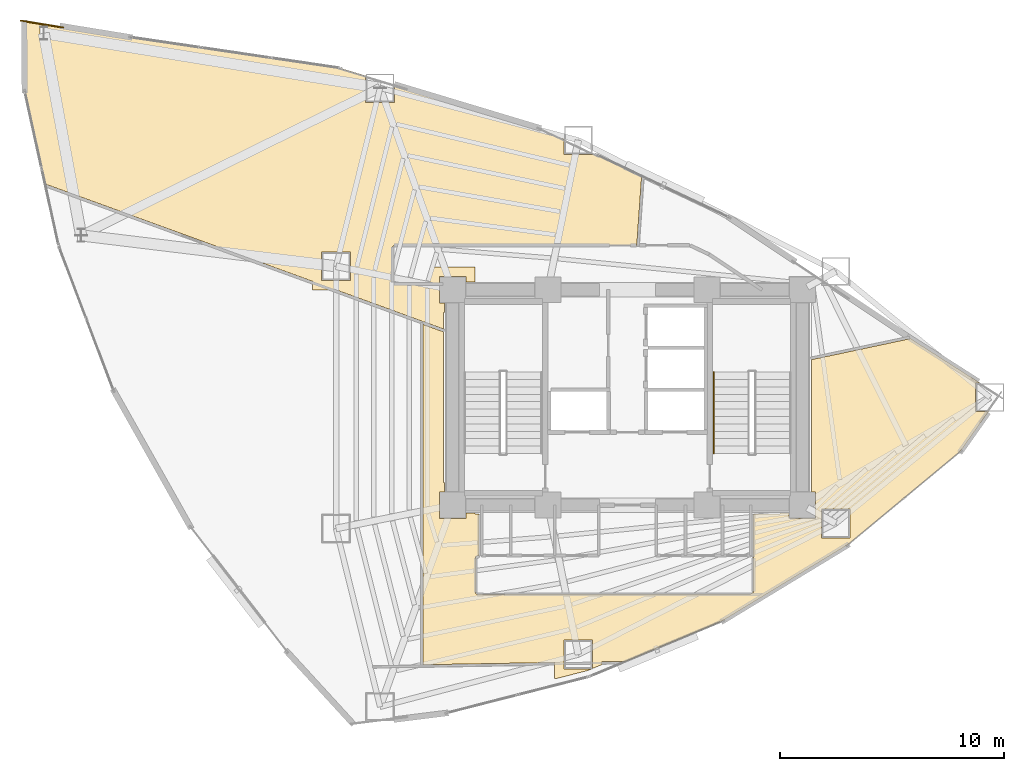
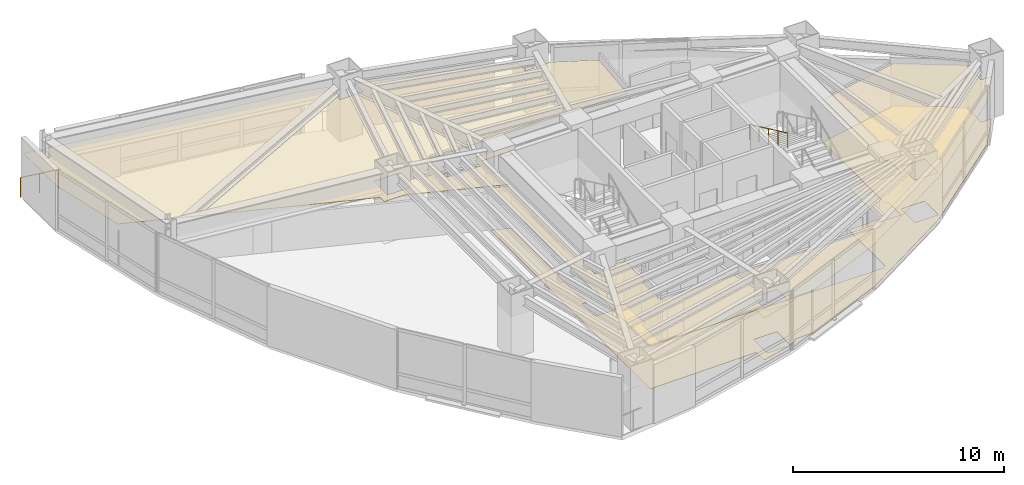
# One storey, part 23 of 25: 3 coverings, 2 railings.
"""IFC4 building model written with IfcOpenShell, lengths in metres."""

import ifcopenshell
import ifcopenshell.guid

model = None  # the IFC model being written
_history = None  # IfcOwnerHistory: only IFC2X3 demands one
_inside = {}  # id of a spatial element -> (the spatial element, [elements in it])
_under = {}  # id of a project, library or spatial element -> (it, [spatial elements below it])
_declared = {}  # id of a project -> (the project, [libraries it declares])
_typed = {}  # id of a type object -> (the type object, [elements of that type])
_made_of = {}  # id of a material, layer set ... -> (it, [elements and type objects made of it])


def new_model(schema):
    """Start an empty IFC model of exactly this schema.

    Asked for "IFC4X3", IfcOpenShell would pick the latest addendum, in which some entities
    have other attributes; the version numbers below select the first issue.
    IFC2X3 requires an IfcOwnerHistory on every rooted entity: one is made here for all.
    """
    global model, _history
    if schema == "IFC4X3":
        model = ifcopenshell.file(schema_version=(4, 3, 0, 0))
    else:
        model = ifcopenshell.file(schema=schema)
    _inside.clear()
    _under.clear()
    _declared.clear()
    _typed.clear()
    _made_of.clear()
    _history = None
    if model.schema == "IFC2X3":
        org = make("IfcOrganization", Name="unknown")
        user = make(
            "IfcPersonAndOrganization",
            ThePerson=make("IfcPerson", FamilyName="unknown"),
            TheOrganization=org,
        )
        app = make(
            "IfcApplication",
            ApplicationDeveloper=org,
            Version="unknown",
            ApplicationFullName="unknown",
            ApplicationIdentifier="unknown",
        )
        _history = make(
            "IfcOwnerHistory",
            OwningUser=user,
            OwningApplication=app,
            ChangeAction="ADDED",
            CreationDate=0,
        )
    return model


def make(cls, **values):
    """One entity of the class cls with the attributes given. An attribute that is None is left unset."""
    return model.create_entity(
        cls, **{name: value for name, value in values.items() if value is not None}
    )


def rooted(cls, **values):
    """An entity with a GlobalId (a new one), such as an element, a storey or a relation."""
    return make(cls, GlobalId=ifcopenshell.guid.new(), OwnerHistory=_history, **values)


def si_unit(unit_type, name, prefix=None):
    """IfcSIUnit, for example si_unit("LENGTHUNIT", "METRE", prefix="MILLI")."""
    return make("IfcSIUnit", UnitType=unit_type, Prefix=prefix, Name=name)


def assignment(units):
    """IfcUnitAssignment: the units of a project."""
    return None if units is None else make("IfcUnitAssignment", Units=units)


def point(xyz):
    """IfcCartesianPoint."""
    return None if xyz is None else make("IfcCartesianPoint", Coordinates=xyz)


def direction(xyz):
    """IfcDirection."""
    return None if xyz is None else make("IfcDirection", DirectionRatios=xyz)


def frame(location, z_axis=None, x_axis=None):
    """IfcAxis2Placement3D, a coordinate frame: its origin and axes. An axis left out is left unset."""
    return make(
        "IfcAxis2Placement3D",
        Location=point(location),
        Axis=direction(z_axis),
        RefDirection=direction(x_axis),
    )


def frame_2d(location, x_axis=None):
    """IfcAxis2Placement2D, a coordinate frame in the plane: its origin and x axis."""
    return make(
        "IfcAxis2Placement2D", Location=point(location), RefDirection=direction(x_axis)
    )


def origin():
    """The frame at (0, 0, 0) with its axes left unset."""
    return frame((0.0, 0.0, 0.0))


def origin_2d():
    """The frame at (0, 0) in the plane with its x axis left unset."""
    return frame_2d((0.0, 0.0))


def place(relative_to, where):
    """IfcLocalPlacement: puts the frame where relative to a parent placement (None: the world)."""
    return make(
        "IfcLocalPlacement", PlacementRelTo=relative_to, RelativePlacement=where
    )


def context(
    kind, dimensions, precision=None, world=None, true_north=None, identifier=None
):
    """IfcGeometricRepresentationContext, for example the 3D "Model" context."""
    return make(
        "IfcGeometricRepresentationContext",
        ContextIdentifier=identifier,
        ContextType=kind,
        CoordinateSpaceDimension=dimensions,
        Precision=precision,
        WorldCoordinateSystem=world,
        TrueNorth=true_north,
    )


def subcontext(parent, identifier, kind, view, scale=None):
    """IfcGeometricRepresentationSubContext, for example "Body" below "Model"."""
    return make(
        "IfcGeometricRepresentationSubContext",
        ContextIdentifier=identifier,
        ContextType=kind,
        ParentContext=parent,
        TargetScale=scale,
        TargetView=view,
    )


def project(units=None, contexts=None):
    """IfcProject with its units and contexts."""
    return rooted(
        "IfcProject",
        Name="project",
        RepresentationContexts=contexts,
        UnitsInContext=assignment(units),
    )


def spatial(cls, under=None, at=None, **own):
    """A site, building, storey or space (cls), placed at a placement, below another one or the project."""
    s = rooted(cls, ObjectPlacement=at, **own)
    if under is not None:
        _under.setdefault(under.id(), (under, []))[1].append(s)
    return s


def polyline(points):
    """IfcPolyline through the points."""
    return make("IfcPolyline", Points=[point(p) for p in points])


def profile(cls, at=None, kind="AREA", **sizes):
    """A parametric profile (cls). Its sizes go by their IFC names, for example OverallWidth=200.0."""
    return make(cls, ProfileType=kind, Position=at, **sizes)


def circle(**sizes):
    """IfcCircleProfileDef."""
    return profile("IfcCircleProfileDef", **sizes)


def outline(outer, holes=None, kind="AREA"):
    """IfcArbitraryClosedProfileDef: a profile drawn as a closed curve; with holes, ...WithVoids."""
    if holes is None:
        return make("IfcArbitraryClosedProfileDef", ProfileType=kind, OuterCurve=outer)
    return make(
        "IfcArbitraryProfileDefWithVoids",
        ProfileType=kind,
        OuterCurve=outer,
        InnerCurves=holes,
    )


def extrude(swept, where, along, depth):
    """IfcExtrudedAreaSolid: the profile swept, set in the frame where, extruded along a direction by depth."""
    return make(
        "IfcExtrudedAreaSolid",
        SweptArea=swept,
        Position=where,
        ExtrudedDirection=direction(along),
        Depth=depth,
    )


def shape(context_of_items, identifier, shape_type, items):
    """IfcShapeRepresentation: the items that make up one representation, for example the "Body"."""
    return make(
        "IfcShapeRepresentation",
        ContextOfItems=context_of_items,
        RepresentationIdentifier=identifier,
        RepresentationType=shape_type,
        Items=items,
    )


def material(Name=None, Category=None):
    """IfcMaterial."""
    return make("IfcMaterial", Name=Name, Category=Category)


def layer(
    of_material, thickness, ventilated=None, Name=None, Category=None, Priority=None
):
    """IfcMaterialLayer: one layer of a wall or slab, of a material (None: an air gap)."""
    return make(
        "IfcMaterialLayer",
        Material=of_material,
        LayerThickness=thickness,
        IsVentilated=ventilated,
        Name=Name,
        Category=Category,
        Priority=Priority,
    )


def layer_set(layers, Name=None):
    """IfcMaterialLayerSet."""
    return make("IfcMaterialLayerSet", MaterialLayers=layers, LayerSetName=Name)


def made_of(thing, what):
    """Note that an element or type object is made of a material, layer set ...; save() writes the relation."""
    if what is not None:
        _made_of.setdefault(what.id(), (what, []))[1].append(thing)
    return thing


def type_object(cls, material=None, **own):
    """A type object (cls), such as IfcWallType, which elements share."""
    return made_of(rooted(cls, **own), material)


def element(
    cls,
    number,
    at=None,
    inside=None,
    cuts=None,
    type_object=None,
    material=None,
    context=None,
    identifier="Body",
    shape_type=None,
    held_by="IfcProductDefinitionShape",
    body=None,
    shapes=None,
    **own,
):
    """One element of the class cls, such as IfcWall. Its Tag is "e" and its number.

    at: its placement. inside: the storey or other place that contains it. cuts: it is an
    opening in that element (IfcRelVoidsElement). A single representation is given by context,
    identifier, shape_type and body (its items); several are given by shapes. held_by: the class
    of the entity that holds the representations. save() writes the other relations.
    """
    e = rooted(cls, Tag="e%d" % number, ObjectPlacement=at, **own)
    if body is not None:
        shapes = [shape(context, identifier, shape_type, body)]
    if shapes is not None:
        e.Representation = make(held_by, Representations=shapes)
    if inside is not None:
        _inside.setdefault(inside.id(), (inside, []))[1].append(e)
    if cuts is not None:
        rooted(
            "IfcRelVoidsElement", RelatingBuildingElement=cuts, RelatedOpeningElement=e
        )
    if type_object is not None:
        _typed.setdefault(type_object.id(), (type_object, []))[1].append(e)
    return made_of(e, material)


def aggregate(whole, parts):
    """IfcRelAggregates: a whole, such as a stair, and the parts it consists of."""
    return rooted("IfcRelAggregates", RelatingObject=whole, RelatedObjects=parts)


def save(model, path):
    """Write the relations noted so far, then the file.

    IfcRelAggregates (storeys below a building ...), IfcRelContainedInSpatialStructure (elements
    in a storey), IfcRelDefinesByType, IfcRelAssociatesMaterial and IfcRelDeclares: one each for
    every whole, place, type object, material and project.
    """
    for whole, parts in _under.values():
        aggregate(whole, parts)
    for where, things in _inside.values():
        rooted(
            "IfcRelContainedInSpatialStructure",
            RelatedElements=things,
            RelatingStructure=where,
        )
    for kind, things in _typed.values():
        rooted("IfcRelDefinesByType", RelatedObjects=things, RelatingType=kind)
    for what, things in _made_of.values():
        rooted("IfcRelAssociatesMaterial", RelatedObjects=things, RelatingMaterial=what)
    for by, libraries in _declared.values():
        rooted("IfcRelDeclares", RelatingContext=by, RelatedDefinitions=libraries)
    model.write(path)


model = new_model("IFC4")

# Units and contexts
model_context = context("Model", 3, precision=1e-05, world=origin(), true_north=direction((0.0, 1.0)))
body_context = subcontext(model_context, "Body", "Model", "MODEL_VIEW")
ifc_project = project(units=[si_unit("LENGTHUNIT", "METRE"), si_unit("AREAUNIT", "SQUARE_METRE"), si_unit("VOLUMEUNIT", "CUBIC_METRE"), si_unit("PLANEANGLEUNIT", "RADIAN"), si_unit("MASSUNIT", "GRAM", prefix="KILO")], contexts=[model_context])

# Site, building, storey
site_placement = place(None, origin())
site = spatial("IfcSite", under=ifc_project, at=site_placement, CompositionType="ELEMENT")
building_placement = place(site_placement, origin())
building = spatial("IfcBuilding", under=site, at=building_placement, Name="Menara Vayukalpa", CompositionType="ELEMENT")
storey_placement = place(building_placement, frame((0.0, 0.0, 115.139892578125)))
storey = spatial("IfcBuildingStorey", under=building, at=storey_placement, Name="L28", CompositionType="ELEMENT", Elevation=115.139892578125)

# Coverings
ifc_material_1 = material(Name="Mineral Fibre Acoustic Ceiling Tile", Category="masonry")
ifc_layer_1 = layer(ifc_material_1, 0.02490234375)
ifc_layer_set_1 = layer_set([ifc_layer_1], Name="Mineral Fibre Acoustic Ceiling Tile")
covering_type_1 = type_object("IfcCoveringType", Name="COV-CLG1", PredefinedType="CEILING", material=ifc_layer_set_1)
covering_1_placement = place(storey_placement, frame((0.0, 0.0, 2.4501953125)))
element("IfcCovering", 1, at=covering_1_placement, inside=storey, type_object=covering_type_1, Name="L28 Client Conference Room Acoustic Ceiling", PredefinedType="CEILING", context=body_context, shape_type="SweptSolid", body=[
    extrude(outline(polyline([(24.048095703125, 9.914794921875), (24.048095703125, 11.172607421875), (22.768310546875, 11.172607421875), (22.768310546875, 9.892578125), (23.9951171875, 9.892578125), (23.818359375, 9.818603515625), (22.46142578125, 9.47265625), (22.34814453125, 9.47265625), (22.34814453125, 10.181640625), (16.49365234375, 10.079345703125), (16.49267578125, 10.079345703125), (16.49169921875, 10.07958984375), (16.49072265625, 10.079833984375), (16.48974609375, 10.080078125), (16.489013671875, 10.08056640625), (16.488037109375, 10.0810546875), (16.4873046875, 10.08154296875), (16.486572265625, 10.082275390625), (16.48583984375, 10.0830078125), (16.485107421875, 10.083740234375), (16.484619140625, 10.084716796875), (16.484375, 10.08544921875), (16.48388671875, 10.08642578125), (16.483642578125, 10.08740234375), (16.4833984375, 10.08837890625), (16.4833984375, 10.08935546875), (16.4833984375, 25.239990234375), (16.4833984375, 25.240966796875), (16.483642578125, 25.241943359375), (16.48388671875, 25.242919921875), (16.484130859375, 25.24365234375), (16.484619140625, 25.24462890625), (16.485107421875, 25.245361328125), (16.485595703125, 25.24609375), (16.486328125, 25.246826171875), (16.487060546875, 25.24755859375), (16.48779296875, 25.248291015625), (16.488525390625, 25.248779296875), (16.489501953125, 25.2490234375), (16.490234375, 25.24951171875), (16.4912109375, 25.249755859375), (16.4921875, 25.25), (16.4931640625, 25.25), (16.494140625, 25.25), (16.4951171875, 25.25), (16.49609375, 25.249755859375), (16.496826171875, 25.24951171875), (17.38330078125, 24.9267578125), (17.384521484375, 24.92626953125), (17.38525390625, 24.92578125), (17.385986328125, 24.92529296875), (17.386962890625, 24.924560546875), (17.3876953125, 24.923828125), (17.38818359375, 24.923095703125), (17.388671875, 24.922119140625), (17.38916015625, 24.92138671875), (17.389404296875, 24.92041015625), (17.389892578125, 24.919189453125), (17.389892578125, 24.918212890625), (17.389892578125, 24.917236328125), (17.389892578125, 18.2099609375), (17.449951171875, 18.2099609375), (17.449951171875, 17.7900390625), (17.2099609375, 17.7900390625), (17.2099609375, 16.610107421875), (18.389892578125, 16.610107421875), (18.389892578125, 16.85009765625), (18.81005859375, 16.85009765625), (18.81005859375, 16.7900390625), (18.97998046875, 16.7900390625), (18.98095703125, 16.7900390625), (18.98193359375, 16.789794921875), (18.98291015625, 16.78955078125), (18.98388671875, 16.789306640625), (18.984619140625, 16.788818359375), (18.985595703125, 16.788330078125), (18.986328125, 16.78759765625), (18.987060546875, 16.787109375), (18.98779296875, 16.786376953125), (18.98828125, 16.78564453125), (18.98876953125, 16.78466796875), (18.9892578125, 16.78369140625), (18.989501953125, 16.782958984375), (18.98974609375, 16.781982421875), (18.989990234375, 16.781005859375), (18.989990234375, 16.780029296875), (18.989990234375, 14.929931640625), (18.989990234375, 14.928955078125), (18.98974609375, 14.927978515625), (18.989501953125, 14.927001953125), (18.9892578125, 14.92626953125), (18.98876953125, 14.92529296875), (18.98828125, 14.92431640625), (18.98779296875, 14.923583984375), (18.987060546875, 14.9228515625), (18.986328125, 14.92236328125), (18.985595703125, 14.921630859375), (18.984619140625, 14.921142578125), (18.98388671875, 14.9208984375), (18.98291015625, 14.92041015625), (18.98193359375, 14.920166015625), (18.98095703125, 14.919921875), (18.97998046875, 14.919921875), (18.900390625, 14.919921875), (18.893310546875, 14.919677734375), (18.88623046875, 14.918701171875), (18.879638671875, 14.9169921875), (18.873291015625, 14.914794921875), (18.866943359375, 14.911865234375), (18.861083984375, 14.908203125), (18.85546875, 14.904052734375), (18.8505859375, 14.8994140625), (18.845947265625, 14.89453125), (18.841796875, 14.888916015625), (18.838134765625, 14.883056640625), (18.835205078125, 14.876708984375), (18.8330078125, 14.870361328125), (18.831298828125, 14.86376953125), (18.830322265625, 14.856689453125), (18.830078125, 14.849609375), (18.830078125, 13.290283203125), (18.830322265625, 13.283203125), (18.831298828125, 13.2763671875), (18.8330078125, 13.269775390625), (18.835205078125, 13.26318359375), (18.838134765625, 13.257080078125), (18.841796875, 13.251220703125), (18.845947265625, 13.24560546875), (18.8505859375, 13.240478515625), (18.85546875, 13.236083984375), (18.861083984375, 13.231689453125), (18.866943359375, 13.228271484375), (18.873291015625, 13.225341796875), (18.879638671875, 13.222900390625), (18.88623046875, 13.22119140625), (18.893310546875, 13.220458984375), (18.900390625, 13.219970703125), (31.048828125, 13.219970703125), (31.055419921875, 13.22021484375), (31.0615234375, 13.22119140625), (31.06787109375, 13.22265625), (31.073974609375, 13.224609375), (31.079833984375, 13.22705078125), (31.085693359375, 13.230224609375), (31.186279296875, 13.29150390625), (31.192138671875, 13.295654296875), (31.19775390625, 13.30029296875), (31.202880859375, 13.305419921875), (31.207275390625, 13.31103515625), (31.2109375, 13.317138671875), (31.214111328125, 13.323486328125), (31.216796875, 13.330078125), (31.218505859375, 13.337158203125), (31.219482421875, 13.34423828125), (31.219970703125, 13.3515625), (31.219970703125, 14.849609375), (31.219482421875, 14.856689453125), (31.21875, 14.86376953125), (31.217041015625, 14.870361328125), (31.214599609375, 14.876708984375), (31.2119140625, 14.8828125), (31.211669921875, 14.883056640625), (31.211181640625, 14.8837890625), (31.210693359375, 14.884765625), (31.21044921875, 14.8857421875), (31.210205078125, 14.88671875), (31.2099609375, 14.8876953125), (31.2099609375, 14.888671875), (31.2099609375, 16.780029296875), (31.2099609375, 16.781005859375), (31.210205078125, 16.781982421875), (31.21044921875, 16.782958984375), (31.210693359375, 16.78369140625), (31.211181640625, 16.78466796875), (31.211669921875, 16.78564453125), (31.21240234375, 16.786376953125), (31.212890625, 16.787109375), (31.213623046875, 16.78759765625), (31.21435546875, 16.788330078125), (31.21533203125, 16.788818359375), (31.21630859375, 16.789306640625), (31.217041015625, 16.78955078125), (31.218017578125, 16.789794921875), (31.218994140625, 16.7900390625), (31.219970703125, 16.7900390625), (32.389892578125, 16.7900390625), (32.389892578125, 16.85009765625), (32.81005859375, 16.85009765625), (32.81005859375, 16.610107421875), (33.989990234375, 16.610107421875), (33.989990234375, 17.7900390625), (33.81005859375, 17.7900390625), (33.81005859375, 23.67578125), (33.81005859375, 23.6767578125), (33.810302734375, 23.677490234375), (33.810302734375, 23.6787109375), (33.810791015625, 23.679443359375), (33.811279296875, 23.680419921875), (33.811767578125, 23.68115234375), (33.812255859375, 23.681884765625), (33.81298828125, 23.6826171875), (33.813720703125, 23.683349609375), (33.814453125, 23.68408203125), (33.815185546875, 23.6845703125), (33.816162109375, 23.684814453125), (33.81689453125, 23.685302734375), (33.81787109375, 23.685546875), (38.187255859375, 24.614013671875), (38.193115234375, 24.61572265625), (38.19873046875, 24.617919921875), (38.2041015625, 24.620361328125), (38.206787109375, 24.6220703125), (38.207763671875, 24.62255859375), (38.20849609375, 24.623046875), (38.20947265625, 24.623291015625), (38.210205078125, 24.62353515625), (38.211181640625, 24.623779296875), (38.212158203125, 24.623779296875), (38.213134765625, 24.623779296875), (38.214111328125, 24.62353515625), (38.215087890625, 24.623291015625), (38.2158203125, 24.623046875), (38.216796875, 24.62255859375), (38.217529296875, 24.6220703125), (41.32421875, 22.639892578125), (41.121826171875, 22.639892578125), (41.121826171875, 21.360107421875), (41.6904296875, 21.360107421875), (40.461181640625, 19.6201171875), (40.46044921875, 19.619384765625), (40.4599609375, 19.618896484375), (40.459228515625, 19.618408203125), (35.380859375, 15.40673828125), (35.379638671875, 15.406005859375), (29.862060546875, 12.05419921875), (29.861328125, 12.0537109375), (29.860595703125, 12.053466796875), (25.472900390625, 10.218017578125), (25.47216796875, 10.2177734375), (25.47119140625, 10.217529296875), (25.47021484375, 10.21728515625), (25.46923828125, 10.21728515625), (25.46826171875, 10.21728515625), (25.46728515625, 10.21728515625), (25.466552734375, 10.217529296875), (25.465576171875, 10.218017578125), (25.464599609375, 10.21826171875), (25.4638671875, 10.21875), (25.463134765625, 10.21923828125), (25.46240234375, 10.219970703125), (25.459716796875, 10.222412109375), (25.454833984375, 10.225830078125), (25.449951171875, 10.228759765625), (25.444580078125, 10.231201171875), (25.438720703125, 10.23291015625), (25.43310546875, 10.234375), (25.42724609375, 10.235107421875), (25.421142578125, 10.2353515625), (24.46826171875, 10.21875), (24.46826171875, 10.090576171875), (24.048095703125, 9.914794921875)]), holes=[polyline([(35.52685546875, 17.018310546875), (34.246826171875, 17.018310546875), (34.246826171875, 15.73828125), (35.52685546875, 15.73828125), (35.52685546875, 17.018310546875)])]), origin(), (0.0, 0.0, 1.0), 0.02490234375),
])
covering_2_placement = place(storey_placement, frame((0.0, 0.0, 2.4501953125)))
element("IfcCovering", 2, at=covering_2_placement, inside=storey, type_object=covering_type_1, Name="L28 Digital Engineering Lab Acoustic Ceiling", PredefinedType="CEILING", context=body_context, shape_type="SweptSolid", body=[
    extrude(outline(polyline([(18.81005859375, 27.14990234375), (18.389892578125, 27.14990234375), (18.389892578125, 27.389892578125), (17.2099609375, 27.389892578125), (17.2099609375, 26.2099609375), (17.449951171875, 26.2099609375), (17.449951171875, 25.7900390625), (17.389892578125, 25.7900390625), (17.389892578125, 25.06640625), (17.389892578125, 25.065185546875), (17.389892578125, 25.064453125), (17.3896484375, 25.0634765625), (17.389404296875, 25.0625), (17.388916015625, 25.061767578125), (17.388427734375, 25.060791015625), (17.3876953125, 25.06005859375), (17.38720703125, 25.059326171875), (17.386474609375, 25.05859375), (17.3857421875, 25.05810546875), (17.385009765625, 25.0576171875), (17.384033203125, 25.05712890625), (17.38330078125, 25.056884765625), (17.382080078125, 25.056640625), (17.38134765625, 25.056396484375), (17.38037109375, 25.056396484375), (17.37939453125, 25.056396484375), (17.37841796875, 25.056396484375), (17.37744140625, 25.056640625), (17.376708984375, 25.056884765625), (12.626708984375, 26.78564453125), (11.546630859375, 26.78564453125), (11.546630859375, 27.178955078125), (-0.3369140625, 31.504150390625), (-0.343017578125, 31.506103515625), (-0.34423828125, 31.50634765625), (-0.34521484375, 31.506591796875), (-0.34619140625, 31.507080078125), (-0.34716796875, 31.507568359375), (-0.347900390625, 31.508056640625), (-0.3486328125, 31.5087890625), (-0.349365234375, 31.509521484375), (-0.35009765625, 31.51025390625), (-0.3505859375, 31.510986328125), (-0.35107421875, 31.511962890625), (-0.351318359375, 31.512939453125), (-0.351806640625, 31.513916015625), (-1.26513671875, 35.672607421875), (-1.26513671875, 35.673583984375), (-1.265380859375, 35.6748046875), (-1.288330078125, 38.801513671875), (-1.288330078125, 38.802490234375), (-1.2880859375, 38.803466796875), (-1.287841796875, 38.804443359375), (-1.28759765625, 38.805419921875), (-1.287109375, 38.806396484375), (-1.28662109375, 38.80712890625), (-1.2861328125, 38.807861328125), (-1.285400390625, 38.80859375), (-1.284912109375, 38.809326171875), (-1.283935546875, 38.809814453125), (-1.283203125, 38.810302734375), (-1.282470703125, 38.810791015625), (-1.281494140625, 38.811279296875), (-1.280517578125, 38.811279296875), (-1.279541015625, 38.8115234375), (-1.278564453125, 38.811767578125), (-1.277587890625, 38.811767578125), (-1.276611328125, 38.8115234375), (3.41162109375, 38.050537109375), (3.412353515625, 38.05029296875), (3.41259765625, 38.05029296875), (12.826416015625, 36.666259765625), (12.827880859375, 36.666015625), (13.92919921875, 36.33447265625), (13.92919921875, 35.157470703125), (15.208984375, 35.157470703125), (15.208984375, 35.94921875), (21.740966796875, 33.982666015625), (21.74169921875, 33.982421875), (21.742431640625, 33.982177734375), (22.768310546875, 33.49658203125), (22.768310546875, 32.827392578125), (24.048095703125, 32.827392578125), (24.048095703125, 32.890380859375), (26.222900390625, 31.86083984375), (26.223876953125, 31.860595703125), (26.224609375, 31.85986328125), (26.2255859375, 31.859375), (26.226318359375, 31.858642578125), (26.226806640625, 31.85791015625), (26.227294921875, 31.85693359375), (26.227783203125, 31.856201171875), (26.228271484375, 31.85498046875), (26.228515625, 31.854248046875), (26.228515625, 31.853271484375), (26.228759765625, 31.852294921875), (26.228759765625, 31.851318359375), (26.013916015625, 28.779296875), (26.013916015625, 28.7783203125), (26.013427734375, 28.77734375), (26.01318359375, 28.7763671875), (26.0126953125, 28.775390625), (26.01220703125, 28.774658203125), (26.01171875, 28.773681640625), (26.010986328125, 28.77294921875), (26.01025390625, 28.7724609375), (26.009521484375, 28.771728515625), (26.0087890625, 28.771240234375), (26.0078125, 28.770751953125), (26.0068359375, 28.7705078125), (26.005859375, 28.770263671875), (26.0048828125, 28.77001953125), (26.00390625, 28.77001953125), (15.2001953125, 28.77001953125), (15.193115234375, 28.76953125), (15.186279296875, 28.768798828125), (15.1796875, 28.76708984375), (15.173095703125, 28.7646484375), (15.1669921875, 28.76171875), (15.1611328125, 28.75830078125), (15.155517578125, 28.75390625), (15.150390625, 28.74951171875), (15.14599609375, 28.744384765625), (15.141845703125, 28.73876953125), (15.13818359375, 28.73291015625), (15.13525390625, 28.726806640625), (15.133056640625, 28.72021484375), (15.13134765625, 28.713623046875), (15.13037109375, 28.706787109375), (15.1298828125, 28.69970703125), (15.1298828125, 27.140380859375), (15.13037109375, 27.13330078125), (15.13134765625, 27.126220703125), (15.133056640625, 27.11962890625), (15.13525390625, 27.11328125), (15.13818359375, 27.10693359375), (15.141845703125, 27.101318359375), (15.14599609375, 27.095458984375), (15.150390625, 27.090576171875), (15.155517578125, 27.0859375), (15.1611328125, 27.081787109375), (15.1669921875, 27.078125), (15.173095703125, 27.0751953125), (15.1796875, 27.072998046875), (15.186279296875, 27.0712890625), (15.193115234375, 27.0703125), (15.2001953125, 27.070068359375), (16.7900390625, 27.070068359375), (16.7900390625, 27.81005859375), (18.81005859375, 27.81005859375), (18.81005859375, 27.14990234375)]), holes=[polyline([(13.24658203125, 28.485595703125), (11.966552734375, 28.485595703125), (11.966552734375, 27.205810546875), (13.24658203125, 27.205810546875), (13.24658203125, 28.485595703125)]), polyline([(-0.263671875, 38.54638671875), (-0.593505859375, 38.54638671875), (-0.593505859375, 37.92822265625), (-0.263671875, 37.92822265625), (-0.263671875, 38.54638671875)])]), origin(), (0.0, 0.0, 1.0), 0.02490234375),
])
ifc_material_2 = material(Name="Porcelain Stoneware Floor Tile", Category="masonry")
ifc_layer_2 = layer(ifc_material_2, 0.02001953125)
ifc_layer_set_2 = layer_set([ifc_layer_2], Name="Porcelain Stoneware Floor Tile")
covering_type_2 = type_object("IfcCoveringType", Name="COV-FLR1", PredefinedType="FLOORING", material=ifc_layer_set_2)
covering_3_placement = place(storey_placement, origin())
element("IfcCovering", 3, at=covering_3_placement, inside=storey, type_object=covering_type_2, Name="L28 Client Conference Room Porcelain Flooring", PredefinedType="FLOORING", context=body_context, shape_type="SweptSolid", body=[
    extrude(outline(polyline([(24.048095703125, 9.914794921875), (24.048095703125, 11.172607421875), (22.768310546875, 11.172607421875), (22.768310546875, 9.892578125), (23.9951171875, 9.892578125), (23.818359375, 9.818603515625), (22.46142578125, 9.47265625), (22.34814453125, 9.47265625), (22.34814453125, 10.181640625), (16.49365234375, 10.079345703125), (16.49267578125, 10.079345703125), (16.49169921875, 10.07958984375), (16.49072265625, 10.079833984375), (16.48974609375, 10.080078125), (16.489013671875, 10.08056640625), (16.488037109375, 10.0810546875), (16.4873046875, 10.08154296875), (16.486572265625, 10.082275390625), (16.48583984375, 10.0830078125), (16.485107421875, 10.083740234375), (16.484619140625, 10.084716796875), (16.484375, 10.08544921875), (16.48388671875, 10.08642578125), (16.483642578125, 10.08740234375), (16.4833984375, 10.08837890625), (16.4833984375, 10.08935546875), (16.4833984375, 25.239990234375), (16.4833984375, 25.240966796875), (16.483642578125, 25.241943359375), (16.48388671875, 25.242919921875), (16.484130859375, 25.24365234375), (16.484619140625, 25.24462890625), (16.485107421875, 25.245361328125), (16.485595703125, 25.24609375), (16.486328125, 25.246826171875), (16.487060546875, 25.24755859375), (16.48779296875, 25.248291015625), (16.488525390625, 25.248779296875), (16.489501953125, 25.2490234375), (16.490234375, 25.24951171875), (16.4912109375, 25.249755859375), (16.4921875, 25.25), (16.4931640625, 25.25), (16.494140625, 25.25), (16.4951171875, 25.25), (16.49609375, 25.249755859375), (16.496826171875, 25.24951171875), (17.38330078125, 24.9267578125), (17.384521484375, 24.92626953125), (17.38525390625, 24.92578125), (17.385986328125, 24.92529296875), (17.386962890625, 24.924560546875), (17.3876953125, 24.923828125), (17.38818359375, 24.923095703125), (17.388671875, 24.922119140625), (17.38916015625, 24.92138671875), (17.389404296875, 24.92041015625), (17.389892578125, 24.919189453125), (17.389892578125, 24.918212890625), (17.389892578125, 24.917236328125), (17.389892578125, 18.2099609375), (17.449951171875, 18.2099609375), (17.449951171875, 17.7900390625), (17.2099609375, 17.7900390625), (17.2099609375, 16.610107421875), (18.389892578125, 16.610107421875), (18.389892578125, 16.85009765625), (18.81005859375, 16.85009765625), (18.81005859375, 16.7900390625), (18.97998046875, 16.7900390625), (18.98095703125, 16.7900390625), (18.98193359375, 16.789794921875), (18.98291015625, 16.78955078125), (18.98388671875, 16.789306640625), (18.984619140625, 16.788818359375), (18.985595703125, 16.788330078125), (18.986328125, 16.78759765625), (18.987060546875, 16.787109375), (18.98779296875, 16.786376953125), (18.98828125, 16.78564453125), (18.98876953125, 16.78466796875), (18.9892578125, 16.78369140625), (18.989501953125, 16.782958984375), (18.98974609375, 16.781982421875), (18.989990234375, 16.781005859375), (18.989990234375, 16.780029296875), (18.989990234375, 14.929931640625), (18.989990234375, 14.928955078125), (18.98974609375, 14.927978515625), (18.989501953125, 14.927001953125), (18.9892578125, 14.92626953125), (18.98876953125, 14.92529296875), (18.98828125, 14.92431640625), (18.98779296875, 14.923583984375), (18.987060546875, 14.9228515625), (18.986328125, 14.92236328125), (18.985595703125, 14.921630859375), (18.984619140625, 14.921142578125), (18.98388671875, 14.9208984375), (18.98291015625, 14.92041015625), (18.98193359375, 14.920166015625), (18.98095703125, 14.919921875), (18.97998046875, 14.919921875), (18.900390625, 14.919921875), (18.893310546875, 14.919677734375), (18.88623046875, 14.918701171875), (18.879638671875, 14.9169921875), (18.873291015625, 14.914794921875), (18.866943359375, 14.911865234375), (18.861083984375, 14.908203125), (18.85546875, 14.904052734375), (18.8505859375, 14.8994140625), (18.845947265625, 14.89453125), (18.841796875, 14.888916015625), (18.838134765625, 14.883056640625), (18.835205078125, 14.876708984375), (18.8330078125, 14.870361328125), (18.831298828125, 14.86376953125), (18.830322265625, 14.856689453125), (18.830078125, 14.849609375), (18.830078125, 13.290283203125), (18.830322265625, 13.283203125), (18.831298828125, 13.2763671875), (18.8330078125, 13.269775390625), (18.835205078125, 13.26318359375), (18.838134765625, 13.257080078125), (18.841796875, 13.251220703125), (18.845947265625, 13.24560546875), (18.8505859375, 13.240478515625), (18.85546875, 13.236083984375), (18.861083984375, 13.231689453125), (18.866943359375, 13.228271484375), (18.873291015625, 13.225341796875), (18.879638671875, 13.222900390625), (18.88623046875, 13.22119140625), (18.893310546875, 13.220458984375), (18.900390625, 13.219970703125), (31.048828125, 13.219970703125), (31.055419921875, 13.22021484375), (31.0615234375, 13.22119140625), (31.06787109375, 13.22265625), (31.073974609375, 13.224609375), (31.079833984375, 13.22705078125), (31.085693359375, 13.230224609375), (31.186279296875, 13.29150390625), (31.192138671875, 13.295654296875), (31.19775390625, 13.30029296875), (31.202880859375, 13.305419921875), (31.207275390625, 13.31103515625), (31.2109375, 13.317138671875), (31.214111328125, 13.323486328125), (31.216796875, 13.330078125), (31.218505859375, 13.337158203125), (31.219482421875, 13.34423828125), (31.219970703125, 13.3515625), (31.219970703125, 14.849609375), (31.219482421875, 14.856689453125), (31.21875, 14.86376953125), (31.217041015625, 14.870361328125), (31.214599609375, 14.876708984375), (31.2119140625, 14.8828125), (31.211669921875, 14.883056640625), (31.211181640625, 14.8837890625), (31.210693359375, 14.884765625), (31.21044921875, 14.8857421875), (31.210205078125, 14.88671875), (31.2099609375, 14.8876953125), (31.2099609375, 14.888671875), (31.2099609375, 16.780029296875), (31.2099609375, 16.781005859375), (31.210205078125, 16.781982421875), (31.21044921875, 16.782958984375), (31.210693359375, 16.78369140625), (31.211181640625, 16.78466796875), (31.211669921875, 16.78564453125), (31.21240234375, 16.786376953125), (31.212890625, 16.787109375), (31.213623046875, 16.78759765625), (31.21435546875, 16.788330078125), (31.21533203125, 16.788818359375), (31.21630859375, 16.789306640625), (31.217041015625, 16.78955078125), (31.218017578125, 16.789794921875), (31.218994140625, 16.7900390625), (31.219970703125, 16.7900390625), (32.389892578125, 16.7900390625), (32.389892578125, 16.85009765625), (32.81005859375, 16.85009765625), (32.81005859375, 16.610107421875), (33.989990234375, 16.610107421875), (33.989990234375, 17.7900390625), (33.81005859375, 17.7900390625), (33.81005859375, 23.67578125), (33.81005859375, 23.6767578125), (33.810302734375, 23.677490234375), (33.810302734375, 23.6787109375), (33.810791015625, 23.679443359375), (33.811279296875, 23.680419921875), (33.811767578125, 23.68115234375), (33.812255859375, 23.681884765625), (33.81298828125, 23.6826171875), (33.813720703125, 23.683349609375), (33.814453125, 23.68408203125), (33.815185546875, 23.6845703125), (33.816162109375, 23.684814453125), (33.81689453125, 23.685302734375), (33.81787109375, 23.685546875), (38.187255859375, 24.614013671875), (38.193115234375, 24.61572265625), (38.19873046875, 24.617919921875), (38.2041015625, 24.620361328125), (38.206787109375, 24.6220703125), (38.207763671875, 24.62255859375), (38.20849609375, 24.623046875), (38.20947265625, 24.623291015625), (38.210205078125, 24.62353515625), (38.211181640625, 24.623779296875), (38.212158203125, 24.623779296875), (38.213134765625, 24.623779296875), (38.214111328125, 24.62353515625), (38.215087890625, 24.623291015625), (38.2158203125, 24.623046875), (38.216796875, 24.62255859375), (38.217529296875, 24.6220703125), (41.32421875, 22.639892578125), (41.121826171875, 22.639892578125), (41.121826171875, 21.360107421875), (41.6904296875, 21.360107421875), (40.461181640625, 19.6201171875), (40.46044921875, 19.619384765625), (40.4599609375, 19.618896484375), (40.459228515625, 19.618408203125), (35.380859375, 15.40673828125), (35.379638671875, 15.406005859375), (29.862060546875, 12.05419921875), (29.861328125, 12.0537109375), (29.860595703125, 12.053466796875), (25.472900390625, 10.218017578125), (25.47216796875, 10.2177734375), (25.47119140625, 10.217529296875), (25.47021484375, 10.21728515625), (25.46923828125, 10.21728515625), (25.46826171875, 10.21728515625), (25.46728515625, 10.21728515625), (25.466552734375, 10.217529296875), (25.465576171875, 10.218017578125), (25.464599609375, 10.21826171875), (25.4638671875, 10.21875), (25.463134765625, 10.21923828125), (25.46240234375, 10.219970703125), (25.459716796875, 10.222412109375), (25.454833984375, 10.225830078125), (25.449951171875, 10.228759765625), (25.444580078125, 10.231201171875), (25.438720703125, 10.23291015625), (25.43310546875, 10.234375), (25.42724609375, 10.235107421875), (25.421142578125, 10.2353515625), (24.46826171875, 10.21875), (24.46826171875, 10.090576171875), (24.048095703125, 9.914794921875)]), holes=[polyline([(35.52685546875, 17.018310546875), (34.246826171875, 17.018310546875), (34.246826171875, 15.73828125), (35.52685546875, 15.73828125), (35.52685546875, 17.018310546875)])]), origin(), (0.0, 0.0, 1.0), 0.02001953125),
])

# Railings
ifc_material_3 = material(Name="Laminated Glass and Stainless Steel 316 Guardrail", Category="steel")
railing_type_1 = type_object("IfcRailingType", Name="RLG-EXT115", PredefinedType="GUARDRAIL", material=ifc_material_3)
railing_1_placement = place(storey_placement, frame((0.4375, 38.49267578125, 0.0)))
element("IfcRailing", 4, at=railing_1_placement, inside=storey, type_object=railing_type_1, Name="L28 Column Corner Spandrel Guardrail 07-1", PredefinedType="GUARDRAIL", context=body_context, shape_type="SweptSolid", body=[
    extrude(circle(Radius=0.02392578125, at=origin_2d()), frame((0.0, 0.0, 1.1259765625), z_axis=(-0.98707028177, 0.160288049607, 0.0), x_axis=(-0.160288049607, -0.98707028177, 0.0)), (0.0, 0.0, 1.0), 1.9267578125),
    extrude(circle(Radius=0.02099609375, at=origin_2d()), origin(), (0.0, 0.0, 1.0), 1.101806640625),
    extrude(circle(Radius=0.02099609375, at=origin_2d()), frame((-0.950927734375, 0.154296875, 0.0)), (0.0, 0.0, 1.0), 1.101806640625),
    extrude(circle(Radius=0.02099609375, at=origin_2d()), frame((-1.90185546875, 0.308837890625, 0.0)), (0.0, 0.0, 1.0), 1.101806640625),
])
ifc_material_4 = material(Name="Stainless Steel 316 Tubular Handrail", Category="steel")
railing_type_2 = type_object("IfcRailingType", Name="RLG-STH090", PredefinedType="HANDRAIL", material=ifc_material_4)
railing_2_placement = place(storey_placement, frame((29.449951171875, 23.1298828125, 2.01513671875)))
element("IfcRailing", 5, at=railing_2_placement, inside=storey, type_object=railing_type_2, Name="L28 ST-2 stair handrail 2", PredefinedType="HANDRAIL", context=body_context, shape_type="SweptSolid", body=[
    extrude(circle(Radius=0.02392578125, at=origin_2d()), frame((0.0, 0.0, 0.8759765625), z_axis=(0.0, -0.90511648382, 0.425163675209), x_axis=(1.0, 0.0, 0.0)), (0.0, 0.0, 1.0), 4.010498046875),
    extrude(circle(Radius=0.02099609375, at=origin_2d()), origin(), (0.0, 0.0, 1.0), 0.851806640625),
    extrude(circle(Radius=0.02099609375, at=origin_2d()), frame((0.0, -0.907470703125, 0.42626953125)), (0.0, 0.0, 1.0), 0.851806640625),
    extrude(circle(Radius=0.02099609375, at=origin_2d()), frame((0.0, -1.81494140625, 0.8525390625)), (0.0, 0.0, 1.0), 0.851806640625),
    extrude(circle(Radius=0.02099609375, at=origin_2d()), frame((0.0, -2.722412109375, 1.27880859375)), (0.0, 0.0, 1.0), 0.851806640625),
    extrude(circle(Radius=0.02099609375, at=origin_2d()), frame((0.0, -3.6298828125, 1.705078125)), (0.0, 0.0, 1.0), 0.851806640625),
])

save(model, "model.ifc")
